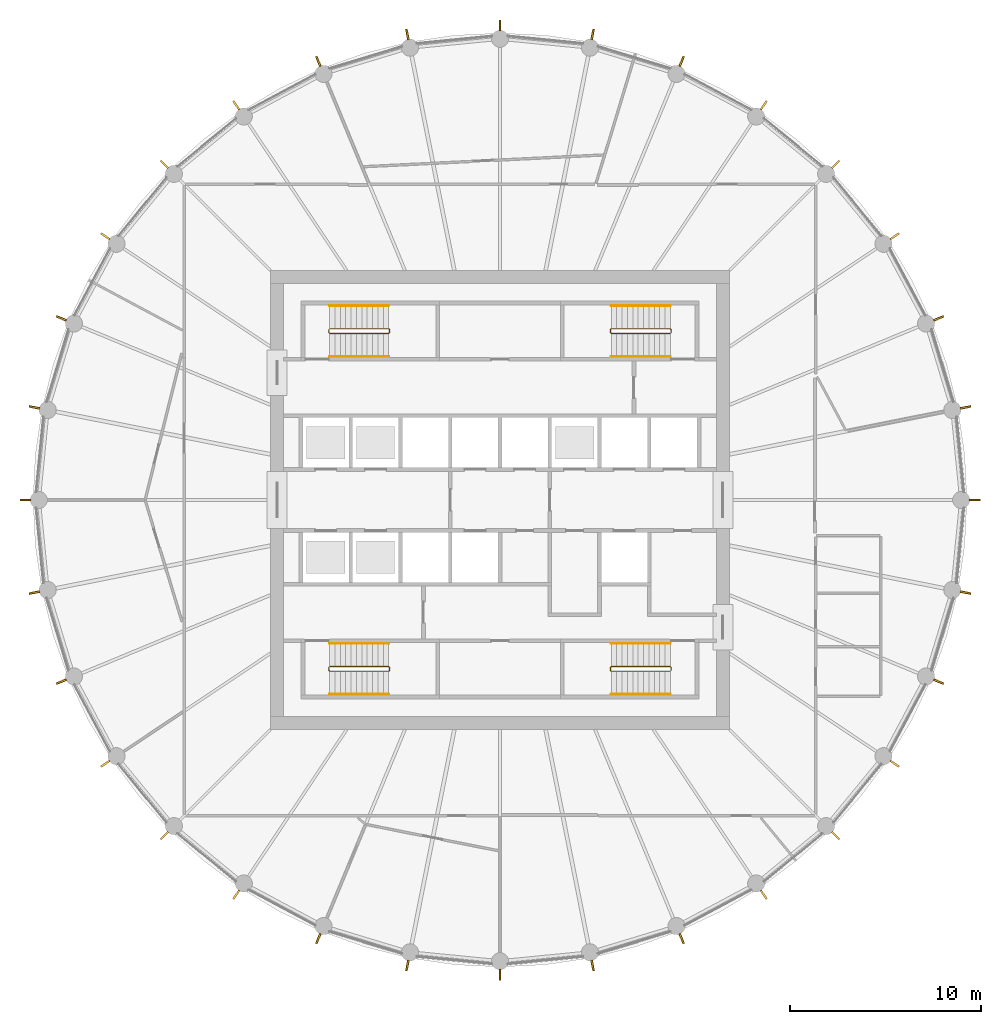
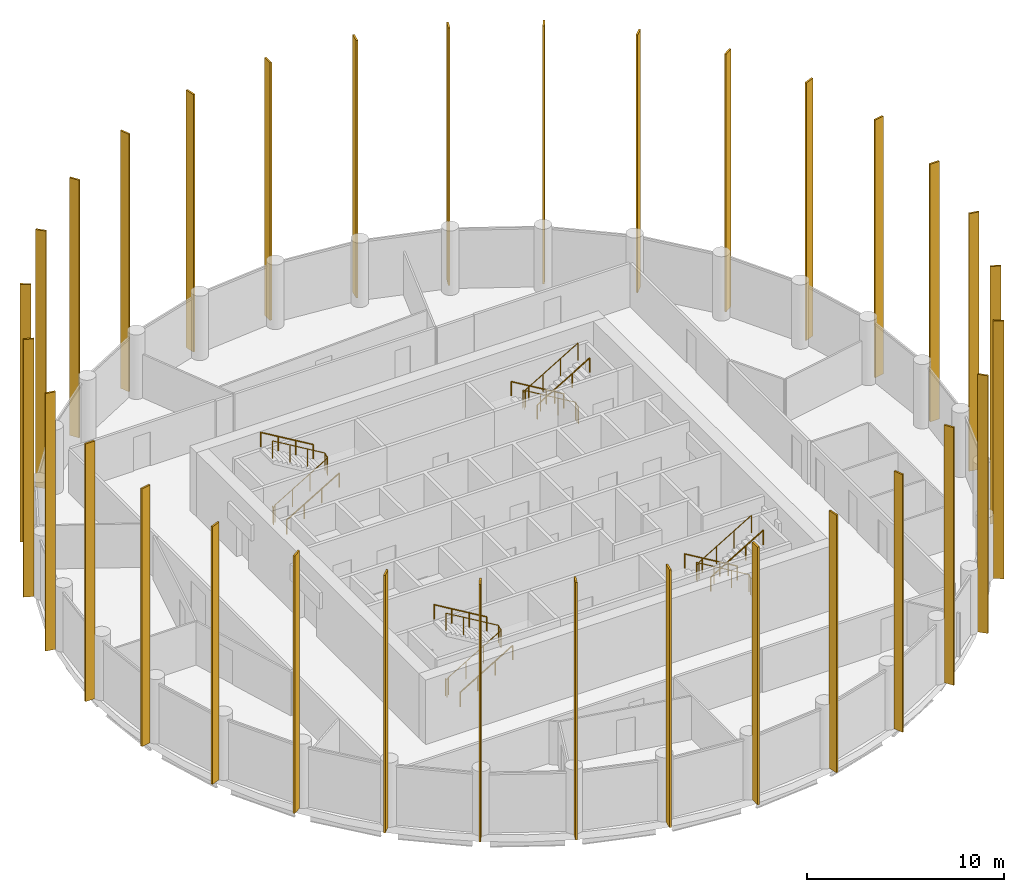
# One storey, part 8 of 9: 32 shading devices, 12 railings.
"""IFC4 building model written with IfcOpenShell, lengths in metres."""

import ifcopenshell
import ifcopenshell.guid

model = None  # the IFC model being written
_history = None  # IfcOwnerHistory: only IFC2X3 demands one
_inside = {}  # id of a spatial element -> (the spatial element, [elements in it])
_under = {}  # id of a project, library or spatial element -> (it, [spatial elements below it])
_declared = {}  # id of a project -> (the project, [libraries it declares])
_typed = {}  # id of a type object -> (the type object, [elements of that type])
_made_of = {}  # id of a material, layer set ... -> (it, [elements and type objects made of it])


def new_model(schema):
    """Start an empty IFC model of exactly this schema.

    Asked for "IFC4X3", IfcOpenShell would pick the latest addendum, in which some entities
    have other attributes; the version numbers below select the first issue.
    IFC2X3 requires an IfcOwnerHistory on every rooted entity: one is made here for all.
    """
    global model, _history
    if schema == "IFC4X3":
        model = ifcopenshell.file(schema_version=(4, 3, 0, 0))
    else:
        model = ifcopenshell.file(schema=schema)
    _inside.clear()
    _under.clear()
    _declared.clear()
    _typed.clear()
    _made_of.clear()
    _history = None
    if model.schema == "IFC2X3":
        org = make("IfcOrganization", Name="unknown")
        user = make(
            "IfcPersonAndOrganization",
            ThePerson=make("IfcPerson", FamilyName="unknown"),
            TheOrganization=org,
        )
        app = make(
            "IfcApplication",
            ApplicationDeveloper=org,
            Version="unknown",
            ApplicationFullName="unknown",
            ApplicationIdentifier="unknown",
        )
        _history = make(
            "IfcOwnerHistory",
            OwningUser=user,
            OwningApplication=app,
            ChangeAction="ADDED",
            CreationDate=0,
        )
    return model


def make(cls, **values):
    """One entity of the class cls with the attributes given. An attribute that is None is left unset."""
    return model.create_entity(
        cls, **{name: value for name, value in values.items() if value is not None}
    )


def rooted(cls, **values):
    """An entity with a GlobalId (a new one), such as an element, a storey or a relation."""
    return make(cls, GlobalId=ifcopenshell.guid.new(), OwnerHistory=_history, **values)


def si_unit(unit_type, name, prefix=None):
    """IfcSIUnit, for example si_unit("LENGTHUNIT", "METRE", prefix="MILLI")."""
    return make("IfcSIUnit", UnitType=unit_type, Prefix=prefix, Name=name)


def assignment(units):
    """IfcUnitAssignment: the units of a project."""
    return None if units is None else make("IfcUnitAssignment", Units=units)


def point(xyz):
    """IfcCartesianPoint."""
    return None if xyz is None else make("IfcCartesianPoint", Coordinates=xyz)


def direction(xyz):
    """IfcDirection."""
    return None if xyz is None else make("IfcDirection", DirectionRatios=xyz)


def frame(location, z_axis=None, x_axis=None):
    """IfcAxis2Placement3D, a coordinate frame: its origin and axes. An axis left out is left unset."""
    return make(
        "IfcAxis2Placement3D",
        Location=point(location),
        Axis=direction(z_axis),
        RefDirection=direction(x_axis),
    )


def frame_2d(location, x_axis=None):
    """IfcAxis2Placement2D, a coordinate frame in the plane: its origin and x axis."""
    return make(
        "IfcAxis2Placement2D", Location=point(location), RefDirection=direction(x_axis)
    )


def origin():
    """The frame at (0, 0, 0) with its axes left unset."""
    return frame((0.0, 0.0, 0.0))


def origin_2d():
    """The frame at (0, 0) in the plane with its x axis left unset."""
    return frame_2d((0.0, 0.0))


def place(relative_to, where):
    """IfcLocalPlacement: puts the frame where relative to a parent placement (None: the world)."""
    return make(
        "IfcLocalPlacement", PlacementRelTo=relative_to, RelativePlacement=where
    )


def context(
    kind, dimensions, precision=None, world=None, true_north=None, identifier=None
):
    """IfcGeometricRepresentationContext, for example the 3D "Model" context."""
    return make(
        "IfcGeometricRepresentationContext",
        ContextIdentifier=identifier,
        ContextType=kind,
        CoordinateSpaceDimension=dimensions,
        Precision=precision,
        WorldCoordinateSystem=world,
        TrueNorth=true_north,
    )


def subcontext(parent, identifier, kind, view, scale=None):
    """IfcGeometricRepresentationSubContext, for example "Body" below "Model"."""
    return make(
        "IfcGeometricRepresentationSubContext",
        ContextIdentifier=identifier,
        ContextType=kind,
        ParentContext=parent,
        TargetScale=scale,
        TargetView=view,
    )


def project(units=None, contexts=None):
    """IfcProject with its units and contexts."""
    return rooted(
        "IfcProject",
        Name="project",
        RepresentationContexts=contexts,
        UnitsInContext=assignment(units),
    )


def spatial(cls, under=None, at=None, **own):
    """A site, building, storey or space (cls), placed at a placement, below another one or the project."""
    s = rooted(cls, ObjectPlacement=at, **own)
    if under is not None:
        _under.setdefault(under.id(), (under, []))[1].append(s)
    return s


def profile(cls, at=None, kind="AREA", **sizes):
    """A parametric profile (cls). Its sizes go by their IFC names, for example OverallWidth=200.0."""
    return make(cls, ProfileType=kind, Position=at, **sizes)


def rectangle(**sizes):
    """IfcRectangleProfileDef."""
    return profile("IfcRectangleProfileDef", **sizes)


def circle(**sizes):
    """IfcCircleProfileDef."""
    return profile("IfcCircleProfileDef", **sizes)


def extrude(swept, where, along, depth):
    """IfcExtrudedAreaSolid: the profile swept, set in the frame where, extruded along a direction by depth."""
    return make(
        "IfcExtrudedAreaSolid",
        SweptArea=swept,
        Position=where,
        ExtrudedDirection=direction(along),
        Depth=depth,
    )


def shape(context_of_items, identifier, shape_type, items):
    """IfcShapeRepresentation: the items that make up one representation, for example the "Body"."""
    return make(
        "IfcShapeRepresentation",
        ContextOfItems=context_of_items,
        RepresentationIdentifier=identifier,
        RepresentationType=shape_type,
        Items=items,
    )


def material(Name=None, Category=None):
    """IfcMaterial."""
    return make("IfcMaterial", Name=Name, Category=Category)


def material_profile(
    of_material, cross_section, Name=None, Category=None, Priority=None
):
    """IfcMaterialProfile: a cross section and its material."""
    return make(
        "IfcMaterialProfile",
        Name=Name,
        Material=of_material,
        Profile=cross_section,
        Priority=Priority,
        Category=Category,
    )


def profile_set(profiles, Name=None, composite=None):
    """IfcMaterialProfileSet."""
    return make(
        "IfcMaterialProfileSet",
        Name=Name,
        MaterialProfiles=profiles,
        CompositeProfile=composite,
    )


def made_of(thing, what):
    """Note that an element or type object is made of a material, layer set ...; save() writes the relation."""
    if what is not None:
        _made_of.setdefault(what.id(), (what, []))[1].append(thing)
    return thing


def type_object(cls, material=None, **own):
    """A type object (cls), such as IfcWallType, which elements share."""
    return made_of(rooted(cls, **own), material)


def element(
    cls,
    number,
    at=None,
    inside=None,
    cuts=None,
    type_object=None,
    material=None,
    context=None,
    identifier="Body",
    shape_type=None,
    held_by="IfcProductDefinitionShape",
    body=None,
    shapes=None,
    **own,
):
    """One element of the class cls, such as IfcWall. Its Tag is "e" and its number.

    at: its placement. inside: the storey or other place that contains it. cuts: it is an
    opening in that element (IfcRelVoidsElement). A single representation is given by context,
    identifier, shape_type and body (its items); several are given by shapes. held_by: the class
    of the entity that holds the representations. save() writes the other relations.
    """
    e = rooted(cls, Tag="e%d" % number, ObjectPlacement=at, **own)
    if body is not None:
        shapes = [shape(context, identifier, shape_type, body)]
    if shapes is not None:
        e.Representation = make(held_by, Representations=shapes)
    if inside is not None:
        _inside.setdefault(inside.id(), (inside, []))[1].append(e)
    if cuts is not None:
        rooted(
            "IfcRelVoidsElement", RelatingBuildingElement=cuts, RelatedOpeningElement=e
        )
    if type_object is not None:
        _typed.setdefault(type_object.id(), (type_object, []))[1].append(e)
    return made_of(e, material)


def aggregate(whole, parts):
    """IfcRelAggregates: a whole, such as a stair, and the parts it consists of."""
    return rooted("IfcRelAggregates", RelatingObject=whole, RelatedObjects=parts)


def save(model, path):
    """Write the relations noted so far, then the file.

    IfcRelAggregates (storeys below a building ...), IfcRelContainedInSpatialStructure (elements
    in a storey), IfcRelDefinesByType, IfcRelAssociatesMaterial and IfcRelDeclares: one each for
    every whole, place, type object, material and project.
    """
    for whole, parts in _under.values():
        aggregate(whole, parts)
    for where, things in _inside.values():
        rooted(
            "IfcRelContainedInSpatialStructure",
            RelatedElements=things,
            RelatingStructure=where,
        )
    for kind, things in _typed.values():
        rooted("IfcRelDefinesByType", RelatedObjects=things, RelatingType=kind)
    for what, things in _made_of.values():
        rooted("IfcRelAssociatesMaterial", RelatedObjects=things, RelatingMaterial=what)
    for by, libraries in _declared.values():
        rooted("IfcRelDeclares", RelatingContext=by, RelatedDefinitions=libraries)
    model.write(path)


model = new_model("IFC4")

# Units and contexts
model_context = context("Model", 3, precision=1e-05, world=origin(), true_north=direction((0.0, 1.0)))
body_context = subcontext(model_context, "Body", "Model", "MODEL_VIEW")
ifc_project = project(units=[si_unit("LENGTHUNIT", "METRE"), si_unit("AREAUNIT", "SQUARE_METRE"), si_unit("VOLUMEUNIT", "CUBIC_METRE"), si_unit("PLANEANGLEUNIT", "RADIAN"), si_unit("MASSUNIT", "GRAM", prefix="KILO")], contexts=[model_context])

# Site, building, storey
site_placement = place(None, origin())
site = spatial("IfcSite", under=ifc_project, at=site_placement, CompositionType="ELEMENT")
building_placement = place(site_placement, origin())
building = spatial("IfcBuilding", under=site, at=building_placement, Name="Corvane Civic Tower", CompositionType="ELEMENT")
storey_placement = place(building_placement, frame((0.0, 0.0, 263.0)))
storey = spatial("IfcBuildingStorey", under=building, at=storey_placement, Name="L62", CompositionType="ELEMENT", Elevation=263.0)

# Railings
ifc_material_1 = material(Name="Steel ASTM A572 Gr 50", Category="steel")
railing_type_1 = type_object("IfcRailingType", Name="ST-GUARD-1100", PredefinedType="GUARDRAIL", material=ifc_material_1)
railing_1_placement = place(storey_placement, frame((8.949951171875, 8.75, 0.0)))
element("IfcRailing", 1, at=railing_1_placement, inside=storey, type_object=railing_type_1, Name="L62 ST1 stair guard 1", PredefinedType="GUARDRAIL", context=body_context, shape_type="SweptSolid", body=[
    extrude(circle(Radius=0.02392578125, at=origin_2d()), frame((0.0, 0.0, 1.076171875), z_axis=(0.0, 1.0, 0.0), x_axis=(-1.0, 0.0, 0.0)), (0.0, 0.0, 1.0), 0.14990234375),
    extrude(circle(Radius=0.02392578125, at=origin_2d()), frame((0.0, 0.14990234375, 1.076171875), z_axis=(-0.27628659633, 0.27628659633, 0.920506074601), x_axis=(-0.707106781187, -0.707106781187, 0.0)), (0.0, 0.0, 1.0), 0.18115234375),
    extrude(circle(Radius=0.02392578125, at=origin_2d()), frame((-0.050048828125, 0.199951171875, 1.24267578125), z_axis=(-0.859290745958, 0.0, 0.51148745235), x_axis=(0.0, -1.0, 0.0)), (0.0, 0.0, 1.0), 3.584228515625),
    extrude(circle(Radius=0.02392578125, at=origin_2d()), frame((-3.1298828125, 0.199951171875, 3.076171875), z_axis=(-0.707106781187, -0.707106781187, 0.0), x_axis=(0.707106781187, -0.707106781187, 0.0)), (0.0, 0.0, 1.0), 0.07080078125),
    extrude(circle(Radius=0.02392578125, at=origin_2d()), frame((-3.179931640625, 0.14990234375, 3.076171875), z_axis=(0.0, -1.0, 0.0), x_axis=(1.0, 0.0, 0.0)), (0.0, 0.0, 1.0), 0.14990234375),
    extrude(circle(Radius=0.02392578125, at=origin_2d()), frame((-3.179931640625, 0.0, 3.076171875), z_axis=(0.27628659633, -0.27628659633, 0.920506074601), x_axis=(0.707106781187, 0.707106781187, 0.0)), (0.0, 0.0, 1.0), 0.18115234375),
    extrude(circle(Radius=0.02392578125, at=origin_2d()), frame((-3.1298828125, -0.050048828125, 3.24267578125), z_axis=(0.859290745958, 0.0, 0.51148745235), x_axis=(0.0, 1.0, 0.0)), (0.0, 0.0, 1.0), 3.584228515625),
    extrude(circle(Radius=0.02099609375, at=origin_2d()), origin(), (0.0, 0.0, 1.0), 1.052001953125),
    extrude(circle(Radius=0.02099609375, at=origin_2d()), frame((0.0, 0.14990234375, 0.0)), (0.0, 0.0, 1.0), 1.052001953125),
    extrude(circle(Radius=0.02099609375, at=origin_2d()), frame((-0.050048828125, 0.199951171875, 0.166748046875)), (0.0, 0.0, 1.0), 1.052001953125),
    extrude(circle(Radius=0.02099609375, at=origin_2d()), frame((-1.07666015625, 0.199951171875, 0.77783203125)), (0.0, 0.0, 1.0), 1.052001953125),
    extrude(circle(Radius=0.02099609375, at=origin_2d()), frame((-2.103271484375, 0.199951171875, 1.388916015625)), (0.0, 0.0, 1.0), 1.052001953125),
    extrude(circle(Radius=0.02099609375, at=origin_2d()), frame((-3.1298828125, 0.199951171875, 2.0)), (0.0, 0.0, 1.0), 1.052001953125),
    extrude(circle(Radius=0.02099609375, at=origin_2d()), frame((-3.179931640625, 0.14990234375, 2.0)), (0.0, 0.0, 1.0), 1.052001953125),
    extrude(circle(Radius=0.02099609375, at=origin_2d()), frame((-3.179931640625, 0.0, 2.0)), (0.0, 0.0, 1.0), 1.052001953125),
    extrude(circle(Radius=0.02099609375, at=origin_2d()), frame((-3.1298828125, -0.050048828125, 2.166748046875)), (0.0, 0.0, 1.0), 1.052001953125),
    extrude(circle(Radius=0.02099609375, at=origin_2d()), frame((-2.103271484375, -0.050048828125, 2.77783203125)), (0.0, 0.0, 1.0), 1.052001953125),
    extrude(circle(Radius=0.02099609375, at=origin_2d()), frame((-1.07666015625, -0.050048828125, 3.388916015625)), (0.0, 0.0, 1.0), 1.052001953125),
    extrude(circle(Radius=0.02099609375, at=origin_2d()), frame((-0.050048828125, -0.050048828125, 4.0)), (0.0, 0.0, 1.0), 1.052001953125),
])
railing_2_placement = place(storey_placement, frame((8.949951171875, -8.89990234375, 0.0)))
element("IfcRailing", 2, at=railing_2_placement, inside=storey, type_object=railing_type_1, Name="L62 ST2 stair guard 1", PredefinedType="GUARDRAIL", context=body_context, shape_type="SweptSolid", body=[
    extrude(circle(Radius=0.02392578125, at=origin_2d()), frame((0.0, 0.0, 1.076171875), z_axis=(0.0, 1.0, 0.0), x_axis=(-1.0, 0.0, 0.0)), (0.0, 0.0, 1.0), 0.14990234375),
    extrude(circle(Radius=0.02392578125, at=origin_2d()), frame((0.0, 0.14990234375, 1.076171875), z_axis=(-0.27628659633, 0.27628659633, 0.920506074601), x_axis=(-0.707106781187, -0.707106781187, 0.0)), (0.0, 0.0, 1.0), 0.18115234375),
    extrude(circle(Radius=0.02392578125, at=origin_2d()), frame((-0.050048828125, 0.199951171875, 1.24267578125), z_axis=(-0.859290745958, 0.0, 0.51148745235), x_axis=(0.0, -1.0, 0.0)), (0.0, 0.0, 1.0), 3.584228515625),
    extrude(circle(Radius=0.02392578125, at=origin_2d()), frame((-3.1298828125, 0.199951171875, 3.076171875), z_axis=(-0.707106781187, -0.707106781187, 0.0), x_axis=(0.707106781187, -0.707106781187, 0.0)), (0.0, 0.0, 1.0), 0.07080078125),
    extrude(circle(Radius=0.02392578125, at=origin_2d()), frame((-3.179931640625, 0.14990234375, 3.076171875), z_axis=(0.0, -1.0, 0.0), x_axis=(1.0, 0.0, 0.0)), (0.0, 0.0, 1.0), 0.14990234375),
    extrude(circle(Radius=0.02392578125, at=origin_2d()), frame((-3.179931640625, 0.0, 3.076171875), z_axis=(0.27628659633, -0.27628659633, 0.920506074601), x_axis=(0.707106781187, 0.707106781187, 0.0)), (0.0, 0.0, 1.0), 0.18115234375),
    extrude(circle(Radius=0.02392578125, at=origin_2d()), frame((-3.1298828125, -0.050048828125, 3.24267578125), z_axis=(0.859290745958, 0.0, 0.51148745235), x_axis=(0.0, 1.0, 0.0)), (0.0, 0.0, 1.0), 3.584228515625),
    extrude(circle(Radius=0.02099609375, at=origin_2d()), origin(), (0.0, 0.0, 1.0), 1.052001953125),
    extrude(circle(Radius=0.02099609375, at=origin_2d()), frame((0.0, 0.14990234375, 0.0)), (0.0, 0.0, 1.0), 1.052001953125),
    extrude(circle(Radius=0.02099609375, at=origin_2d()), frame((-0.050048828125, 0.199951171875, 0.166748046875)), (0.0, 0.0, 1.0), 1.052001953125),
    extrude(circle(Radius=0.02099609375, at=origin_2d()), frame((-1.07666015625, 0.199951171875, 0.77783203125)), (0.0, 0.0, 1.0), 1.052001953125),
    extrude(circle(Radius=0.02099609375, at=origin_2d()), frame((-2.103271484375, 0.199951171875, 1.388916015625)), (0.0, 0.0, 1.0), 1.052001953125),
    extrude(circle(Radius=0.02099609375, at=origin_2d()), frame((-3.1298828125, 0.199951171875, 2.0)), (0.0, 0.0, 1.0), 1.052001953125),
    extrude(circle(Radius=0.02099609375, at=origin_2d()), frame((-3.179931640625, 0.14990234375, 2.0)), (0.0, 0.0, 1.0), 1.052001953125),
    extrude(circle(Radius=0.02099609375, at=origin_2d()), frame((-3.179931640625, 0.0, 2.0)), (0.0, 0.0, 1.0), 1.052001953125),
    extrude(circle(Radius=0.02099609375, at=origin_2d()), frame((-3.1298828125, -0.050048828125, 2.166748046875)), (0.0, 0.0, 1.0), 1.052001953125),
    extrude(circle(Radius=0.02099609375, at=origin_2d()), frame((-2.103271484375, -0.050048828125, 2.77783203125)), (0.0, 0.0, 1.0), 1.052001953125),
    extrude(circle(Radius=0.02099609375, at=origin_2d()), frame((-1.07666015625, -0.050048828125, 3.388916015625)), (0.0, 0.0, 1.0), 1.052001953125),
    extrude(circle(Radius=0.02099609375, at=origin_2d()), frame((-0.050048828125, -0.050048828125, 4.0)), (0.0, 0.0, 1.0), 1.052001953125),
])
railing_3_placement = place(storey_placement, frame((-8.949951171875, -8.75, 0.0)))
element("IfcRailing", 3, at=railing_3_placement, inside=storey, type_object=railing_type_1, Name="L62 ST3 stair guard 1", PredefinedType="GUARDRAIL", context=body_context, shape_type="SweptSolid", body=[
    extrude(circle(Radius=0.02392578125, at=origin_2d()), frame((0.0, 0.0, 1.076171875), z_axis=(0.0, -1.0, 0.0), x_axis=(1.0, 0.0, 0.0)), (0.0, 0.0, 1.0), 0.14990234375),
    extrude(circle(Radius=0.02392578125, at=origin_2d()), frame((0.0, -0.14990234375, 1.076171875), z_axis=(0.27628659633, -0.27628659633, 0.920506074601), x_axis=(0.707106781187, 0.707106781187, 0.0)), (0.0, 0.0, 1.0), 0.18115234375),
    extrude(circle(Radius=0.02392578125, at=origin_2d()), frame((0.050048828125, -0.199951171875, 1.24267578125), z_axis=(0.859290745958, 0.0, 0.51148745235), x_axis=(0.0, 1.0, 0.0)), (0.0, 0.0, 1.0), 3.584228515625),
    extrude(circle(Radius=0.02392578125, at=origin_2d()), frame((3.1298828125, -0.199951171875, 3.076171875), z_axis=(0.707106781187, 0.707106781187, 0.0), x_axis=(-0.707106781187, 0.707106781187, 0.0)), (0.0, 0.0, 1.0), 0.07080078125),
    extrude(circle(Radius=0.02392578125, at=origin_2d()), frame((3.179931640625, -0.14990234375, 3.076171875), z_axis=(0.0, 1.0, 0.0), x_axis=(-1.0, 0.0, 0.0)), (0.0, 0.0, 1.0), 0.14990234375),
    extrude(circle(Radius=0.02392578125, at=origin_2d()), frame((3.179931640625, 0.0, 3.076171875), z_axis=(-0.27628659633, 0.27628659633, 0.920506074601), x_axis=(-0.707106781187, -0.707106781187, 0.0)), (0.0, 0.0, 1.0), 0.18115234375),
    extrude(circle(Radius=0.02392578125, at=origin_2d()), frame((3.1298828125, 0.050048828125, 3.24267578125), z_axis=(-0.859290745958, 0.0, 0.51148745235), x_axis=(0.0, -1.0, 0.0)), (0.0, 0.0, 1.0), 3.584228515625),
    extrude(circle(Radius=0.02099609375, at=origin_2d()), origin(), (0.0, 0.0, 1.0), 1.052001953125),
    extrude(circle(Radius=0.02099609375, at=origin_2d()), frame((0.0, -0.14990234375, 0.0)), (0.0, 0.0, 1.0), 1.052001953125),
    extrude(circle(Radius=0.02099609375, at=origin_2d()), frame((0.050048828125, -0.199951171875, 0.166748046875)), (0.0, 0.0, 1.0), 1.052001953125),
    extrude(circle(Radius=0.02099609375, at=origin_2d()), frame((1.07666015625, -0.199951171875, 0.77783203125)), (0.0, 0.0, 1.0), 1.052001953125),
    extrude(circle(Radius=0.02099609375, at=origin_2d()), frame((2.103271484375, -0.199951171875, 1.388916015625)), (0.0, 0.0, 1.0), 1.052001953125),
    extrude(circle(Radius=0.02099609375, at=origin_2d()), frame((3.1298828125, -0.199951171875, 2.0)), (0.0, 0.0, 1.0), 1.052001953125),
    extrude(circle(Radius=0.02099609375, at=origin_2d()), frame((3.179931640625, -0.14990234375, 2.0)), (0.0, 0.0, 1.0), 1.052001953125),
    extrude(circle(Radius=0.02099609375, at=origin_2d()), frame((3.179931640625, 0.0, 2.0)), (0.0, 0.0, 1.0), 1.052001953125),
    extrude(circle(Radius=0.02099609375, at=origin_2d()), frame((3.1298828125, 0.050048828125, 2.166748046875)), (0.0, 0.0, 1.0), 1.052001953125),
    extrude(circle(Radius=0.02099609375, at=origin_2d()), frame((2.103271484375, 0.050048828125, 2.77783203125)), (0.0, 0.0, 1.0), 1.052001953125),
    extrude(circle(Radius=0.02099609375, at=origin_2d()), frame((1.07666015625, 0.050048828125, 3.388916015625)), (0.0, 0.0, 1.0), 1.052001953125),
    extrude(circle(Radius=0.02099609375, at=origin_2d()), frame((0.050048828125, 0.050048828125, 4.0)), (0.0, 0.0, 1.0), 1.052001953125),
])
railing_4_placement = place(storey_placement, frame((-8.949951171875, 8.89990234375, 0.0)))
element("IfcRailing", 4, at=railing_4_placement, inside=storey, type_object=railing_type_1, Name="L62 ST4 stair guard 1", PredefinedType="GUARDRAIL", context=body_context, shape_type="SweptSolid", body=[
    extrude(circle(Radius=0.02392578125, at=origin_2d()), frame((0.0, 0.0, 1.076171875), z_axis=(0.0, -1.0, 0.0), x_axis=(1.0, 0.0, 0.0)), (0.0, 0.0, 1.0), 0.14990234375),
    extrude(circle(Radius=0.02392578125, at=origin_2d()), frame((0.0, -0.14990234375, 1.076171875), z_axis=(0.27628659633, -0.27628659633, 0.920506074601), x_axis=(0.707106781187, 0.707106781187, 0.0)), (0.0, 0.0, 1.0), 0.18115234375),
    extrude(circle(Radius=0.02392578125, at=origin_2d()), frame((0.050048828125, -0.199951171875, 1.24267578125), z_axis=(0.859290745958, 0.0, 0.51148745235), x_axis=(0.0, 1.0, 0.0)), (0.0, 0.0, 1.0), 3.584228515625),
    extrude(circle(Radius=0.02392578125, at=origin_2d()), frame((3.1298828125, -0.199951171875, 3.076171875), z_axis=(0.707106781187, 0.707106781187, 0.0), x_axis=(-0.707106781187, 0.707106781187, 0.0)), (0.0, 0.0, 1.0), 0.07080078125),
    extrude(circle(Radius=0.02392578125, at=origin_2d()), frame((3.179931640625, -0.14990234375, 3.076171875), z_axis=(0.0, 1.0, 0.0), x_axis=(-1.0, 0.0, 0.0)), (0.0, 0.0, 1.0), 0.14990234375),
    extrude(circle(Radius=0.02392578125, at=origin_2d()), frame((3.179931640625, 0.0, 3.076171875), z_axis=(-0.27628659633, 0.27628659633, 0.920506074601), x_axis=(-0.707106781187, -0.707106781187, 0.0)), (0.0, 0.0, 1.0), 0.18115234375),
    extrude(circle(Radius=0.02392578125, at=origin_2d()), frame((3.1298828125, 0.050048828125, 3.24267578125), z_axis=(-0.859290745958, 0.0, 0.51148745235), x_axis=(0.0, -1.0, 0.0)), (0.0, 0.0, 1.0), 3.584228515625),
    extrude(circle(Radius=0.02099609375, at=origin_2d()), origin(), (0.0, 0.0, 1.0), 1.052001953125),
    extrude(circle(Radius=0.02099609375, at=origin_2d()), frame((0.0, -0.14990234375, 0.0)), (0.0, 0.0, 1.0), 1.052001953125),
    extrude(circle(Radius=0.02099609375, at=origin_2d()), frame((0.050048828125, -0.199951171875, 0.166748046875)), (0.0, 0.0, 1.0), 1.052001953125),
    extrude(circle(Radius=0.02099609375, at=origin_2d()), frame((1.07666015625, -0.199951171875, 0.77783203125)), (0.0, 0.0, 1.0), 1.052001953125),
    extrude(circle(Radius=0.02099609375, at=origin_2d()), frame((2.103271484375, -0.199951171875, 1.388916015625)), (0.0, 0.0, 1.0), 1.052001953125),
    extrude(circle(Radius=0.02099609375, at=origin_2d()), frame((3.1298828125, -0.199951171875, 2.0)), (0.0, 0.0, 1.0), 1.052001953125),
    extrude(circle(Radius=0.02099609375, at=origin_2d()), frame((3.179931640625, -0.14990234375, 2.0)), (0.0, 0.0, 1.0), 1.052001953125),
    extrude(circle(Radius=0.02099609375, at=origin_2d()), frame((3.179931640625, 0.0, 2.0)), (0.0, 0.0, 1.0), 1.052001953125),
    extrude(circle(Radius=0.02099609375, at=origin_2d()), frame((3.1298828125, 0.050048828125, 2.166748046875)), (0.0, 0.0, 1.0), 1.052001953125),
    extrude(circle(Radius=0.02099609375, at=origin_2d()), frame((2.103271484375, 0.050048828125, 2.77783203125)), (0.0, 0.0, 1.0), 1.052001953125),
    extrude(circle(Radius=0.02099609375, at=origin_2d()), frame((1.07666015625, 0.050048828125, 3.388916015625)), (0.0, 0.0, 1.0), 1.052001953125),
    extrude(circle(Radius=0.02099609375, at=origin_2d()), frame((0.050048828125, 0.050048828125, 4.0)), (0.0, 0.0, 1.0), 1.052001953125),
])
ifc_material_2 = material(Name="Steel ASTM A572 Gr 50", Category="steel")
railing_type_2 = type_object("IfcRailingType", Name="ST-HANDRAIL-900", PredefinedType="HANDRAIL", material=ifc_material_2)
railing_5_placement = place(storey_placement, frame((8.89990234375, 10.14990234375, 0.166748046875)))
element("IfcRailing", 5, at=railing_5_placement, inside=storey, type_object=railing_type_2, Name="L62 ST1 stair handrail 1", PredefinedType="HANDRAIL", context=body_context, shape_type="SweptSolid", body=[
    extrude(circle(Radius=0.02392578125, at=origin_2d()), frame((0.0, 0.0, 0.8759765625), z_axis=(-0.859290745958, 0.0, 0.51148745235), x_axis=(0.0, -1.0, 0.0)), (0.0, 0.0, 1.0), 3.584228515625),
    extrude(circle(Radius=0.02099609375, at=origin_2d()), origin(), (0.0, 0.0, 1.0), 0.851806640625),
    extrude(circle(Radius=0.02099609375, at=origin_2d()), frame((-1.026611328125, 0.0, 0.611083984375)), (0.0, 0.0, 1.0), 0.851806640625),
    extrude(circle(Radius=0.02099609375, at=origin_2d()), frame((-2.05322265625, 0.0, 1.22216796875)), (0.0, 0.0, 1.0), 0.851806640625),
    extrude(circle(Radius=0.02099609375, at=origin_2d()), frame((-3.079833984375, 0.0, 1.833251953125)), (0.0, 0.0, 1.0), 0.851806640625),
])
railing_6_placement = place(storey_placement, frame((5.820068359375, 7.5, 2.166748046875)))
element("IfcRailing", 6, at=railing_6_placement, inside=storey, type_object=railing_type_2, Name="L62 ST1 stair handrail 2", PredefinedType="HANDRAIL", context=body_context, shape_type="SweptSolid", body=[
    extrude(circle(Radius=0.02392578125, at=origin_2d()), frame((0.0, 0.0, 0.8759765625), z_axis=(0.859290745958, 0.0, 0.51148745235), x_axis=(0.0, 1.0, 0.0)), (0.0, 0.0, 1.0), 3.584228515625),
    extrude(circle(Radius=0.02099609375, at=origin_2d()), origin(), (0.0, 0.0, 1.0), 0.851806640625),
    extrude(circle(Radius=0.02099609375, at=origin_2d()), frame((1.026611328125, 0.0, 0.611083984375)), (0.0, 0.0, 1.0), 0.851806640625),
    extrude(circle(Radius=0.02099609375, at=origin_2d()), frame((2.05322265625, 0.0, 1.22216796875)), (0.0, 0.0, 1.0), 0.851806640625),
    extrude(circle(Radius=0.02099609375, at=origin_2d()), frame((3.079833984375, 0.0, 1.833251953125)), (0.0, 0.0, 1.0), 0.851806640625),
])
railing_7_placement = place(storey_placement, frame((8.89990234375, -7.5, 0.166748046875)))
element("IfcRailing", 7, at=railing_7_placement, inside=storey, type_object=railing_type_2, Name="L62 ST2 stair handrail 1", PredefinedType="HANDRAIL", context=body_context, shape_type="SweptSolid", body=[
    extrude(circle(Radius=0.02392578125, at=origin_2d()), frame((0.0, 0.0, 0.8759765625), z_axis=(-0.859290745958, 0.0, 0.51148745235), x_axis=(0.0, -1.0, 0.0)), (0.0, 0.0, 1.0), 3.584228515625),
    extrude(circle(Radius=0.02099609375, at=origin_2d()), origin(), (0.0, 0.0, 1.0), 0.851806640625),
    extrude(circle(Radius=0.02099609375, at=origin_2d()), frame((-1.026611328125, 0.0, 0.611083984375)), (0.0, 0.0, 1.0), 0.851806640625),
    extrude(circle(Radius=0.02099609375, at=origin_2d()), frame((-2.05322265625, 0.0, 1.22216796875)), (0.0, 0.0, 1.0), 0.851806640625),
    extrude(circle(Radius=0.02099609375, at=origin_2d()), frame((-3.079833984375, 0.0, 1.833251953125)), (0.0, 0.0, 1.0), 0.851806640625),
])
for number, where, name in (
    (8, (5.820068359375, -10.14990234375, 2.166748046875), "L62 ST2 stair handrail 2"),
    (9, (-8.89990234375, -10.14990234375, 0.166748046875), "L62 ST3 stair handrail 1"),
):
    element("IfcRailing", number, at=place(storey_placement, frame(where)), inside=storey, type_object=railing_type_2, Name=name, PredefinedType="HANDRAIL", context=body_context, shape_type="SweptSolid", body=[
        extrude(circle(Radius=0.02392578125, at=origin_2d()), frame((0.0, 0.0, 0.8759765625), z_axis=(0.859290745958, 0.0, 0.51148745235), x_axis=(0.0, 1.0, 0.0)), (0.0, 0.0, 1.0), 3.584228515625),
        extrude(circle(Radius=0.02099609375, at=origin_2d()), origin(), (0.0, 0.0, 1.0), 0.851806640625),
        extrude(circle(Radius=0.02099609375, at=origin_2d()), frame((1.026611328125, 0.0, 0.611083984375)), (0.0, 0.0, 1.0), 0.851806640625),
        extrude(circle(Radius=0.02099609375, at=origin_2d()), frame((2.05322265625, 0.0, 1.22216796875)), (0.0, 0.0, 1.0), 0.851806640625),
        extrude(circle(Radius=0.02099609375, at=origin_2d()), frame((3.079833984375, 0.0, 1.833251953125)), (0.0, 0.0, 1.0), 0.851806640625),
    ])
railing_8_placement = place(storey_placement, frame((-5.820068359375, -7.5, 2.166748046875)))
element("IfcRailing", 10, at=railing_8_placement, inside=storey, type_object=railing_type_2, Name="L62 ST3 stair handrail 2", PredefinedType="HANDRAIL", context=body_context, shape_type="SweptSolid", body=[
    extrude(circle(Radius=0.02392578125, at=origin_2d()), frame((0.0, 0.0, 0.8759765625), z_axis=(-0.859290745958, 0.0, 0.51148745235), x_axis=(0.0, -1.0, 0.0)), (0.0, 0.0, 1.0), 3.584228515625),
    extrude(circle(Radius=0.02099609375, at=origin_2d()), origin(), (0.0, 0.0, 1.0), 0.851806640625),
    extrude(circle(Radius=0.02099609375, at=origin_2d()), frame((-1.026611328125, 0.0, 0.611083984375)), (0.0, 0.0, 1.0), 0.851806640625),
    extrude(circle(Radius=0.02099609375, at=origin_2d()), frame((-2.05322265625, 0.0, 1.22216796875)), (0.0, 0.0, 1.0), 0.851806640625),
    extrude(circle(Radius=0.02099609375, at=origin_2d()), frame((-3.079833984375, 0.0, 1.833251953125)), (0.0, 0.0, 1.0), 0.851806640625),
])
railing_9_placement = place(storey_placement, frame((-8.89990234375, 7.5, 0.166748046875)))
element("IfcRailing", 11, at=railing_9_placement, inside=storey, type_object=railing_type_2, Name="L62 ST4 stair handrail 1", PredefinedType="HANDRAIL", context=body_context, shape_type="SweptSolid", body=[
    extrude(circle(Radius=0.02392578125, at=origin_2d()), frame((0.0, 0.0, 0.8759765625), z_axis=(0.859290745958, 0.0, 0.51148745235), x_axis=(0.0, 1.0, 0.0)), (0.0, 0.0, 1.0), 3.584228515625),
    extrude(circle(Radius=0.02099609375, at=origin_2d()), origin(), (0.0, 0.0, 1.0), 0.851806640625),
    extrude(circle(Radius=0.02099609375, at=origin_2d()), frame((1.026611328125, 0.0, 0.611083984375)), (0.0, 0.0, 1.0), 0.851806640625),
    extrude(circle(Radius=0.02099609375, at=origin_2d()), frame((2.05322265625, 0.0, 1.22216796875)), (0.0, 0.0, 1.0), 0.851806640625),
    extrude(circle(Radius=0.02099609375, at=origin_2d()), frame((3.079833984375, 0.0, 1.833251953125)), (0.0, 0.0, 1.0), 0.851806640625),
])
railing_10_placement = place(storey_placement, frame((-5.820068359375, 10.14990234375, 2.166748046875)))
element("IfcRailing", 12, at=railing_10_placement, inside=storey, type_object=railing_type_2, Name="L62 ST4 stair handrail 2", PredefinedType="HANDRAIL", context=body_context, shape_type="SweptSolid", body=[
    extrude(circle(Radius=0.02392578125, at=origin_2d()), frame((0.0, 0.0, 0.8759765625), z_axis=(-0.859290745958, 0.0, 0.51148745235), x_axis=(0.0, -1.0, 0.0)), (0.0, 0.0, 1.0), 3.584228515625),
    extrude(circle(Radius=0.02099609375, at=origin_2d()), origin(), (0.0, 0.0, 1.0), 0.851806640625),
    extrude(circle(Radius=0.02099609375, at=origin_2d()), frame((-1.026611328125, 0.0, 0.611083984375)), (0.0, 0.0, 1.0), 0.851806640625),
    extrude(circle(Radius=0.02099609375, at=origin_2d()), frame((-2.05322265625, 0.0, 1.22216796875)), (0.0, 0.0, 1.0), 0.851806640625),
    extrude(circle(Radius=0.02099609375, at=origin_2d()), frame((-3.079833984375, 0.0, 1.833251953125)), (0.0, 0.0, 1.0), 0.851806640625),
])

# Shading devices
ifc_material_3 = material(Name="Anodised aluminium bronze", Category="aluminium")
ifc_material_profile = material_profile(ifc_material_3, rectangle(XDim=0.10009765625, YDim=0.550048828125, at=origin_2d()), Name="TOWER FIN STACK 100x550 BRONZE")
ifc_profile_set = profile_set([ifc_material_profile], Name="Anodised aluminium bronze")
shading_device_type = type_object("IfcShadingDeviceType", Name="TOWER FIN STACK 100x550 BRONZE", PredefinedType="USERDEFINED", material=ifc_profile_set)
for number, where, z_axis, x_axis, name in (
    (13, (0.0, 24.804931640625, 0.0), (0.0, 0.0, 1.0), (1.0, 0.0, 0.0), "Fin 01 L62 to L65"),
    (14, (4.839111328125, 24.328369140625, 0.0), (0.0, 0.0, 1.0), (0.980785280403, -0.195090322016, 0.0), "Fin 02 L62 to L65"),
    (15, (9.492431640625, 22.916748046875, 0.0), (0.0, 0.0, 1.0), (0.923879532511, -0.382683432365, 0.0), "Fin 03 L62 to L65"),
    (16, (13.781005859375, 20.62451171875, 0.0), (0.0, 0.0, 1.0), (0.831469612303, -0.55557023302, 0.0), "Fin 04 L62 to L65"),
    (17, (17.539794921875, 17.539794921875, 0.0), (0.0, 0.0, 1.0), (0.707106781187, -0.707106781187, 0.0), "Fin 05 L62 to L65"),
    (18, (20.62451171875, 13.781005859375, 0.0), (0.0, 0.0, 1.0), (0.55557023302, -0.831469612303, 0.0), "Fin 06 L62 to L65"),
    (19, (22.916748046875, 9.492431640625, 0.0), (0.0, 0.0, 1.0), (0.382683432365, -0.923879532511, 0.0), "Fin 07 L62 to L65"),
    (20, (24.328369140625, 4.839111328125, 0.0), (0.0, 0.0, 1.0), (0.195090322016, -0.980785280403, 0.0), "Fin 08 L62 to L65"),
    (21, (24.804931640625, 0.0, 0.0), (0.0, 0.0, 1.0), (0.0, -1.0, 0.0), "Fin 09 L62 to L65"),
    (22, (24.328369140625, -4.839111328125, 0.0), (0.0, 0.0, 1.0), (-0.195090322016, -0.980785280403, 0.0), "Fin 10 L62 to L65"),
    (23, (22.916748046875, -9.492431640625, 0.0), (0.0, 0.0, 1.0), (-0.382683432365, -0.923879532511, 0.0), "Fin 11 L62 to L65"),
    (24, (20.62451171875, -13.781005859375, 0.0), (0.0, 0.0, 1.0), (-0.55557023302, -0.831469612303, 0.0), "Fin 12 L62 to L65"),
    (25, (17.539794921875, -17.539794921875, 0.0), (0.0, 0.0, 1.0), (-0.707106781187, -0.707106781187, 0.0), "Fin 13 L62 to L65"),
    (26, (13.781005859375, -20.62451171875, 0.0), (0.0, 0.0, 1.0), (-0.831469612303, -0.55557023302, 0.0), "Fin 14 L62 to L65"),
    (27, (9.492431640625, -22.916748046875, 0.0), (0.0, 0.0, 1.0), (-0.923879532511, -0.382683432365, 0.0), "Fin 15 L62 to L65"),
    (28, (4.839111328125, -24.328369140625, 0.0), (0.0, 0.0, 1.0), (-0.980785280403, -0.195090322016, 0.0), "Fin 16 L62 to L65"),
    (29, (0.0, -24.804931640625, 0.0), (0.0, 0.0, 1.0), (-1.0, 0.0, 0.0), "Fin 17 L62 to L65"),
    (30, (-4.839111328125, -24.328369140625, 0.0), (0.0, 0.0, 1.0), (-0.980785280403, 0.195090322016, 0.0), "Fin 18 L62 to L65"),
    (31, (-9.492431640625, -22.916748046875, 0.0), (0.0, 0.0, 1.0), (-0.923879532511, 0.382683432365, 0.0), "Fin 19 L62 to L65"),
    (32, (-13.781005859375, -20.62451171875, 0.0), (0.0, 0.0, 1.0), (-0.831469612303, 0.55557023302, 0.0), "Fin 20 L62 to L65"),
    (33, (-17.539794921875, -17.539794921875, 0.0), (0.0, 0.0, 1.0), (-0.707106781187, 0.707106781187, 0.0), "Fin 21 L62 to L65"),
    (34, (-20.62451171875, -13.781005859375, 0.0), (0.0, 0.0, 1.0), (-0.55557023302, 0.831469612303, 0.0), "Fin 22 L62 to L65"),
    (35, (-22.916748046875, -9.492431640625, 0.0), (0.0, 0.0, 1.0), (-0.382683432365, 0.923879532511, 0.0), "Fin 23 L62 to L65"),
    (36, (-24.328369140625, -4.839111328125, 0.0), (0.0, 0.0, 1.0), (-0.195090322016, 0.980785280403, 0.0), "Fin 24 L62 to L65"),
    (37, (-24.804931640625, 0.0, 0.0), (0.0, 0.0, 1.0), (0.0, 1.0, 0.0), "Fin 25 L62 to L65"),
    (38, (-24.328369140625, 4.839111328125, 0.0), (0.0, 0.0, 1.0), (0.195090322016, 0.980785280403, 0.0), "Fin 26 L62 to L65"),
    (39, (-22.916748046875, 9.492431640625, 0.0), (0.0, 0.0, 1.0), (0.382683432365, 0.923879532511, 0.0), "Fin 27 L62 to L65"),
    (40, (-20.62451171875, 13.781005859375, 0.0), (0.0, 0.0, 1.0), (0.55557023302, 0.831469612303, 0.0), "Fin 28 L62 to L65"),
    (41, (-17.539794921875, 17.539794921875, 0.0), (0.0, 0.0, 1.0), (0.707106781187, 0.707106781187, 0.0), "Fin 29 L62 to L65"),
    (42, (-13.781005859375, 20.62451171875, 0.0), (0.0, 0.0, 1.0), (0.831469612303, 0.55557023302, 0.0), "Fin 30 L62 to L65"),
    (43, (-9.492431640625, 22.916748046875, 0.0), (0.0, 0.0, 1.0), (0.923879532511, 0.382683432365, 0.0), "Fin 31 L62 to L65"),
    (44, (-4.839111328125, 24.328369140625, 0.0), (0.0, 0.0, 1.0), (0.980785280403, 0.195090322016, 0.0), "Fin 32 L62 to L65"),
):
    element("IfcShadingDevice", number, at=place(storey_placement, frame(where, z_axis=z_axis, x_axis=x_axis)), inside=storey, type_object=shading_device_type, Name=name, ObjectType="FIN", PredefinedType="USERDEFINED", context=body_context, shape_type="SweptSolid", body=[
        extrude(rectangle(XDim=0.10009765625, YDim=0.550048828125, at=origin_2d()), origin(), (0.0, 0.0, 1.0), 16.0),
    ])

save(model, "model.ifc")
